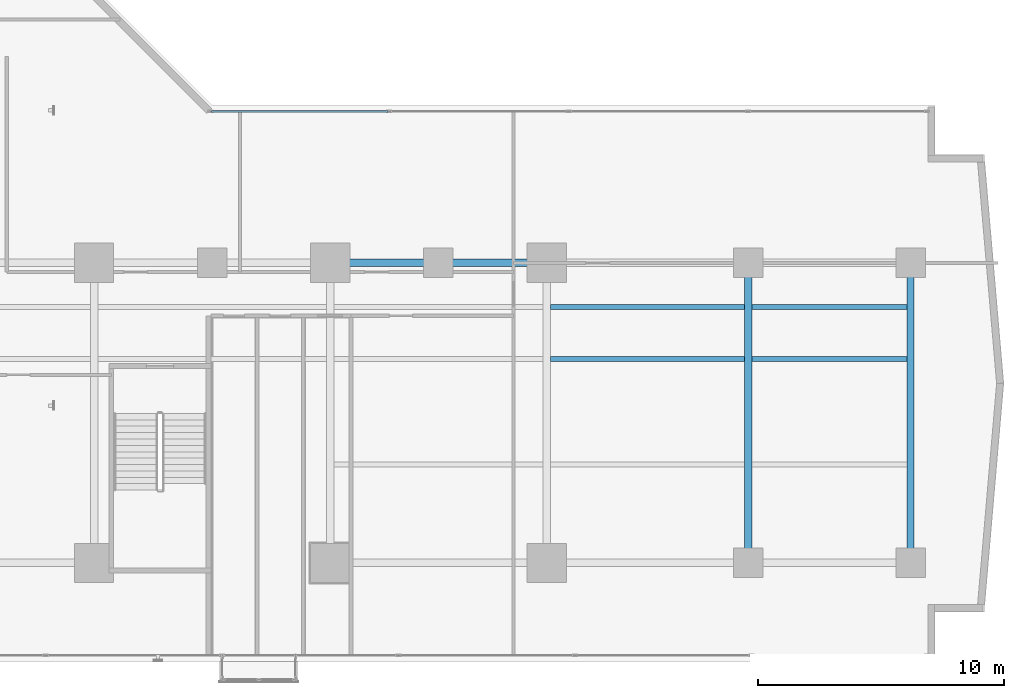
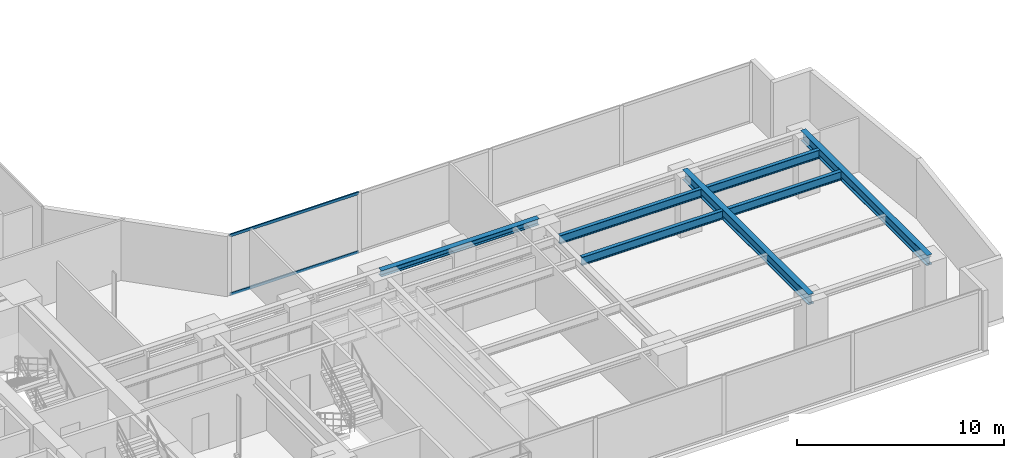
# One storey, part 12 of 29: 7 beams, 2 members, 1 element without a shape of its own.
"""IFC4 building model written with IfcOpenShell, lengths in metres."""

from ifc_helpers import new_model, si_unit, direction, frame, origin, origin_with_axes, origin_2d, place, context, subcontext, project, spatial, hollow_rectangle, i_section, extrude, source, transform, mapped, material, layer, layer_set, material_profile, profile_set, type_object, element, aggregate, save


model = new_model("IFC4")

# Units and contexts
model_context = context("Model", 3, precision=1e-05, world=origin(), true_north=direction((0.0, 1.0)))
body_context = subcontext(model_context, "Body", "Model", "MODEL_VIEW")
ifc_project = project(units=[si_unit("LENGTHUNIT", "METRE"), si_unit("AREAUNIT", "SQUARE_METRE"), si_unit("VOLUMEUNIT", "CUBIC_METRE"), si_unit("PLANEANGLEUNIT", "RADIAN"), si_unit("MASSUNIT", "GRAM", prefix="KILO")], contexts=[model_context])

# Site, building, storey
site_placement = place(None, origin())
site = spatial("IfcSite", under=ifc_project, at=site_placement, CompositionType="ELEMENT")
building_placement = place(site_placement, origin())
building = spatial("IfcBuilding", under=site, at=building_placement, Name="Kolvaren Waterfront Exchange", CompositionType="ELEMENT")
storey_placement = place(building_placement, frame((0.0, 0.0, 37.199951171875)))
storey = spatial("IfcBuildingStorey", under=building, at=storey_placement, Name="L09", CompositionType="ELEMENT", Elevation=37.199951171875)

# Beams
ifc_material_1 = material(Name="Steel S355", Category="steel")
ifc_material_profile_1 = material_profile(ifc_material_1, i_section(OverallWidth=0.300048828125, OverallDepth=0.360107421875, WebThickness=0.012451171875, FlangeThickness=0.0224609375, FilletRadius=0.027099609375, at=origin_2d()), Name="HEB360")
ifc_profile_set_1 = profile_set([ifc_material_profile_1], Name="Steel S355")
beam_type_1 = type_object("IfcBeamType", Name="STR-BM-HEB360", PredefinedType="SPANDREL", material=ifc_profile_set_1)
beam_placement = place(storey_placement, frame((36.800048828125, 17.39990234375, 3.360107421875), z_axis=(1.0, 0.0, 0.0), x_axis=(0.0, 1.0, 0.0)))
element("IfcBeam", 1, at=beam_placement, inside=storey, type_object=beam_type_1, Name="L09 east-arm spandrel N3", PredefinedType="SPANDREL", context=body_context, shape_type="SweptSolid", body=[
    extrude(i_section(OverallWidth=0.300048828125, OverallDepth=0.360107421875, WebThickness=0.012451171875, FlangeThickness=0.0224609375, FilletRadius=0.027099609375, at=origin_2d()), origin(), (0.0, 0.0, 1.0), 8.800048828125),
])
ifc_material_profile_2 = material_profile(ifc_material_1, i_section(OverallWidth=0.300048828125, OverallDepth=0.60009765625, WebThickness=0.015380859375, FlangeThickness=0.030029296875, FilletRadius=0.027099609375, at=origin_2d()), Name="HEB600")
ifc_profile_set_2 = profile_set([ifc_material_profile_2], Name="Steel S355")
beam_type_2 = type_object("IfcBeamType", Name="STR-BM-HEB600", PredefinedType="BEAM", material=ifc_profile_set_2)
for number, where, z_axis, x_axis, name in (
    (2, (53.800048828125, 5.199951171875, 3.239990234375), (0.0, 1.0, 0.0), (-1.0, 0.0, 0.0), "L09 east-arm transverse girder X53"),
    (3, (60.39990234375, 5.199951171875, 3.239990234375), (0.0, 1.0, 0.0), (-1.0, 0.0, 0.0), "L09 east-arm transverse girder X60"),
):
    element("IfcBeam", number, at=place(storey_placement, frame(where, z_axis=z_axis, x_axis=x_axis)), inside=storey, type_object=beam_type_2, Name=name, PredefinedType="BEAM", context=body_context, shape_type="SweptSolid", body=[
        extrude(i_section(OverallWidth=0.300048828125, OverallDepth=0.60009765625, WebThickness=0.015380859375, FlangeThickness=0.030029296875, FilletRadius=0.027099609375, at=origin_2d()), origin(), (0.0, 0.0, 1.0), 12.199951171875),
    ])
ifc_material_profile_3 = material_profile(ifc_material_1, i_section(OverallWidth=0.199951171875, OverallDepth=0.5, WebThickness=0.01025390625, FlangeThickness=0.01611328125, FilletRadius=0.02099609375, at=origin_2d()), Name="IPE500")
ifc_profile_set_3 = profile_set([ifc_material_profile_3], Name="Steel S355")
beam_type_3 = type_object("IfcBeamType", Name="STR-BM-IPE500", PredefinedType="JOIST", material=ifc_profile_set_3)
for number, where, z_axis, x_axis, name in (
    (4, (45.751953125, 13.5, 3.2900390625), (1.0, 0.0, 0.0), (0.0, 1.0, 0.0), "L09 east-arm composite joist 4A"),
    (5, (45.751953125, 15.60009765625, 3.2900390625), (1.0, 0.0, 0.0), (0.0, 1.0, 0.0), "L09 east-arm composite joist 4C"),
):
    element("IfcBeam", number, at=place(storey_placement, frame(where, z_axis=z_axis, x_axis=x_axis)), inside=storey, type_object=beam_type_3, Name=name, PredefinedType="JOIST", context=body_context, shape_type="SweptSolid", body=[
        extrude(i_section(OverallWidth=0.199951171875, OverallDepth=0.5, WebThickness=0.01025390625, FlangeThickness=0.01611328125, FilletRadius=0.02099609375, at=origin_2d()), origin(), (0.0, 0.0, 1.0), 7.89599609375),
    ])
for number, where, z_axis, x_axis, name in (
    (6, (53.951904296875, 13.5, 3.2900390625), (1.0, 0.0, 0.0), (0.0, 1.0, 0.0), "L09 east-arm composite joist 5A"),
    (7, (53.951904296875, 15.60009765625, 3.2900390625), (1.0, 0.0, 0.0), (0.0, 1.0, 0.0), "L09 east-arm composite joist 5C"),
):
    element("IfcBeam", number, at=place(storey_placement, frame(where, z_axis=z_axis, x_axis=x_axis)), inside=storey, type_object=beam_type_3, Name=name, PredefinedType="JOIST", context=body_context, shape_type="SweptSolid", body=[
        extrude(i_section(OverallWidth=0.199951171875, OverallDepth=0.5, WebThickness=0.01025390625, FlangeThickness=0.01611328125, FilletRadius=0.02099609375, at=origin_2d()), origin(), (0.0, 0.0, 1.0), 6.296142578125),
    ])

# Curtain wall, members
ifc_material_2 = material(Name="Anodised bronze aluminium 6063-T6", Category="aluminium")
ifc_layer = layer(ifc_material_2, 0.219970703125, Name="Anodised bronze aluminium 6063-T6")
ifc_layer_set = layer_set([ifc_layer], Name="Anodised bronze aluminium 6063-T6")
curtain_wall_type = type_object("IfcCurtainWallType", Name="ARC-CW-SYS1", PredefinedType="USERDEFINED", material=ifc_layer_set)
curtain_wall_placement = place(storey_placement, origin())
curtain_wall = element("IfcCurtainWall", 8, at=curtain_wall_placement, inside=storey, type_object=curtain_wall_type, Name="L09 stick curtain wall CW1 (CW-L09-EN)", ObjectType="STICK CURTAIN WALL", PredefinedType="USERDEFINED")
ifc_material_3 = material(Name="Anodised aluminium 6063-T6", Category="aluminium")
ifc_material_profile_4 = material_profile(ifc_material_3, hollow_rectangle(XDim=0.074951171875, YDim=0.159912109375, WallThickness=0.00439453125, at=origin_2d()), Name="ALU-TRN-160x75x4.5")
ifc_profile_set_4 = profile_set([ifc_material_profile_4], Name="Anodised aluminium 6063-T6")
member_type = type_object("IfcMemberType", Name="ARC-CWT-160", PredefinedType="USERDEFINED", material=ifc_profile_set_4)
shared_shape = source(origin_with_axes(), body_context, "Body", "SweptSolid", [
    extrude(hollow_rectangle(XDim=0.074951171875, YDim=0.159912109375, WallThickness=0.00439453125, at=origin_2d()), origin(), (0.0, 0.0, 1.0), 7.1826171875),
])
member_1_placement = place(storey_placement, frame((31.969970703125, 23.56005859375, 0.03759765625), z_axis=(1.0, 0.0, 0.0), x_axis=(0.0, 1.0, 0.0)))
member_1 = element("IfcMember", 9, at=member_1_placement, type_object=member_type, Name="CW1 transom 1.1", ObjectType="TRANSOM", PredefinedType="USERDEFINED", context=body_context, shape_type="MappedRepresentation", body=[
    mapped(shared_shape, transform((0.0, 0.0, 0.0), x_axis=(1.0, 0.0, 0.0), y_axis=(0.0, 1.0, 0.0), z_axis=(0.0, 0.0, 1.0), scale=1.0)),
])
member_2_placement = place(storey_placement, frame((31.969970703125, 23.56005859375, 3.50244140625), z_axis=(1.0, 0.0, 0.0), x_axis=(0.0, 1.0, 0.0)))
member_2 = element("IfcMember", 10, at=member_2_placement, type_object=member_type, Name="CW1 transom 1.2", ObjectType="TRANSOM", PredefinedType="USERDEFINED", context=body_context, shape_type="MappedRepresentation", body=[
    mapped(shared_shape, transform((0.0, 0.0, 0.0), x_axis=(1.0, 0.0, 0.0), y_axis=(0.0, 1.0, 0.0), z_axis=(0.0, 0.0, 1.0), scale=1.0)),
])
aggregate(curtain_wall, [member_1, member_2])

save(model, "model.ifc")
